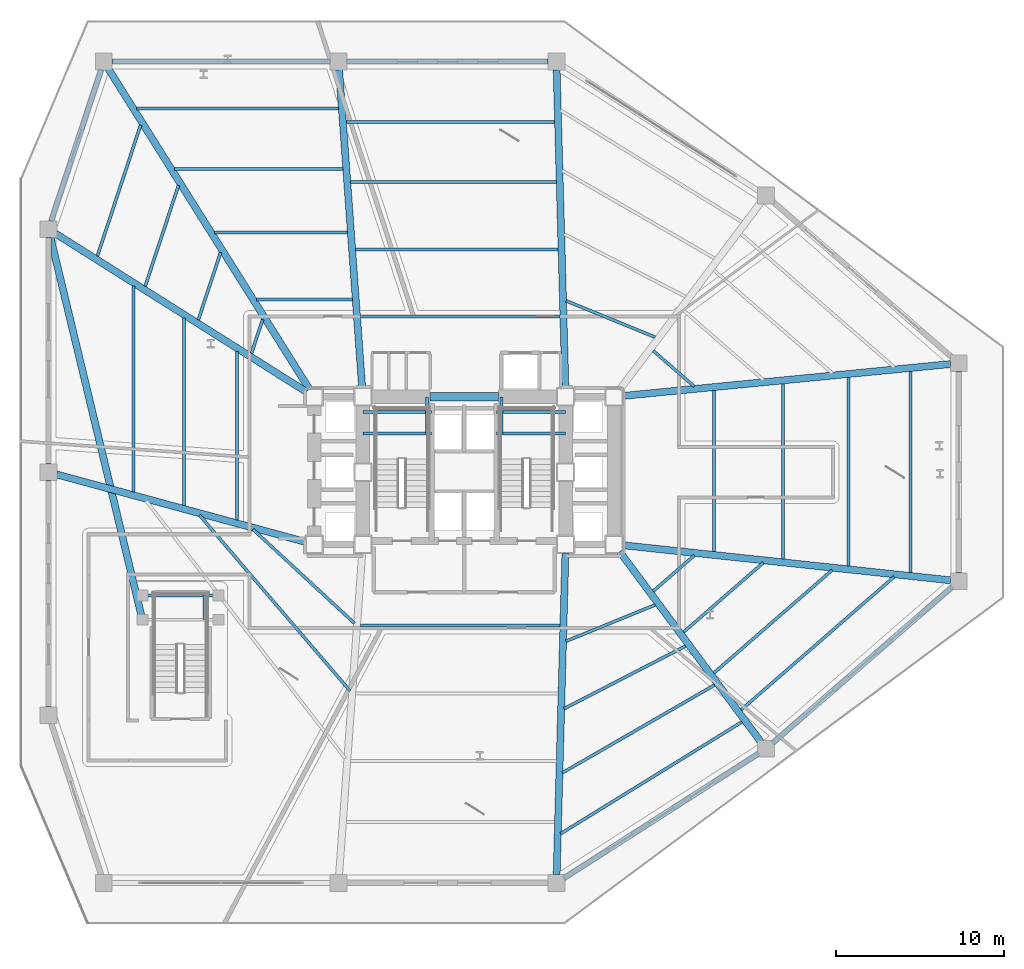
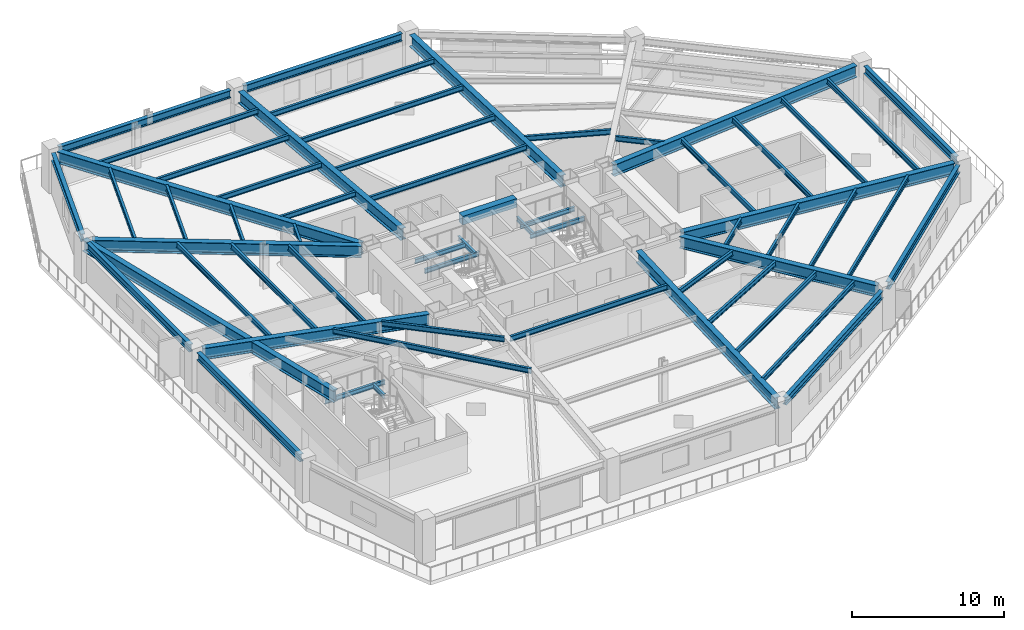
# One storey, part 3 of 12: 59 beams.
"""IFC4 building model written with IfcOpenShell, lengths in metres."""

from ifc_helpers import new_model, si_unit, direction, frame, origin, origin_2d, place, context, subcontext, project, spatial, rectangle, i_section, extrude, material, material_profile, profile_set, type_object, element, save


model = new_model("IFC4")

# Units and contexts
model_context = context("Model", 3, precision=1e-05, world=origin(), true_north=direction((0.0, 1.0)))
body_context = subcontext(model_context, "Body", "Model", "MODEL_VIEW")
ifc_project = project(units=[si_unit("LENGTHUNIT", "METRE"), si_unit("AREAUNIT", "SQUARE_METRE"), si_unit("VOLUMEUNIT", "CUBIC_METRE"), si_unit("PLANEANGLEUNIT", "RADIAN"), si_unit("MASSUNIT", "GRAM", prefix="KILO")], contexts=[model_context])

# Site, building, storey
site_placement = place(None, origin())
site = spatial("IfcSite", under=ifc_project, at=site_placement, CompositionType="ELEMENT")
building_placement = place(site_placement, origin())
building = spatial("IfcBuilding", under=site, at=building_placement, Name="Rocaltana Carrier Exchange", CompositionType="ELEMENT")
storey_placement = place(building_placement, frame((0.0, 0.0, 11.840087890625)))
storey = spatial("IfcBuildingStorey", under=building, at=storey_placement, Name="L04", CompositionType="ELEMENT", Elevation=11.840087890625)

# Beams
ifc_material_1 = material(Name="Concrete C60/75", Category="concrete")
ifc_material_profile_1 = material_profile(ifc_material_1, rectangle(XDim=0.5, YDim=0.699951171875, at=origin_2d()), Name="RC-BM-500X700")
ifc_profile_set_1 = profile_set([ifc_material_profile_1], Name="Concrete C60/75")
beam_type_1 = type_object("IfcBeamType", Name="Core Coupling Lintel 500x700", PredefinedType="LINTEL", material=ifc_profile_set_1)
beam_1_placement = place(storey_placement, frame((-2.050048828125, 4.5, 2.827880859375), z_axis=(1.0, 0.0, 0.0), x_axis=(0.0, 1.0, 0.0)))
element("IfcBeam", 1, at=beam_1_placement, inside=storey, type_object=beam_type_1, Name="L04 Core Coupling Lintel CL-N", PredefinedType="LINTEL", context=body_context, shape_type="SweptSolid", body=[
    extrude(rectangle(XDim=0.5, YDim=0.699951171875, at=origin_2d()), origin(), (0.0, 0.0, 1.0), 4.10009765625),
])
ifc_material_2 = material(Name="Steel S355", Category="steel")
ifc_material_profile_2 = material_profile(ifc_material_2, i_section(OverallWidth=0.172119140625, OverallDepth=0.35791015625, WebThickness=0.0078125, FlangeThickness=0.01318359375, FilletRadius=0.011962890625, at=origin_2d()), Name="W14X38")
ifc_profile_set_2 = profile_set([ifc_material_profile_2], Name="Steel S355")
beam_type_2 = type_object("IfcBeamType", Name="Floor Joist W14X38", PredefinedType="JOIST", material=ifc_profile_set_2)
for number, where, z_axis, x_axis, name in (
    (2, (-6.050048828125, 2.300048828125, 1.380859375), (1.0, 0.0, 0.0), (0.0, 1.0, 0.0), "L04 ST-1 Landing Carrier 1"),
    (3, (1.93994140625, 2.300048828125, 1.380859375), (1.0, 0.0, 0.0), (0.0, 1.0, 0.0), "L04 ST-2 Landing Carrier 1"),
    (4, (-6.050048828125, 3.60009765625, 1.380859375), (1.0, 0.0, 0.0), (0.0, 1.0, 0.0), "L04 ST-1 Landing Carrier 2"),
    (5, (1.93994140625, 3.60009765625, 1.380859375), (1.0, 0.0, 0.0), (0.0, 1.0, 0.0), "L04 ST-2 Landing Carrier 2"),
):
    element("IfcBeam", number, at=place(storey_placement, frame(where, z_axis=z_axis, x_axis=x_axis)), inside=storey, type_object=beam_type_2, Name=name, PredefinedType="JOIST", context=body_context, shape_type="SweptSolid", body=[
        extrude(i_section(OverallWidth=0.172119140625, OverallDepth=0.35791015625, WebThickness=0.0078125, FlangeThickness=0.01318359375, FilletRadius=0.011962890625, at=origin_2d()), origin(), (0.0, 0.0, 1.0), 4.110107421875),
    ])
for number, where, z_axis, x_axis, name in (
    (6, (-2.219970703125, 2.300048828125, 1.380859375), (0.0, 1.0, 0.0), (-1.0, 0.0, 0.0), "L04 ST-1 Landing Cross Trimmer"),
    (7, (2.219970703125, 2.300048828125, 1.380859375), (0.0, 1.0, 0.0), (-1.0, 0.0, 0.0), "L04 ST-2 Landing Cross Trimmer"),
):
    element("IfcBeam", number, at=place(storey_placement, frame(where, z_axis=z_axis, x_axis=x_axis)), inside=storey, type_object=beam_type_2, Name=name, PredefinedType="JOIST", context=body_context, shape_type="SweptSolid", body=[
        extrude(i_section(OverallWidth=0.172119140625, OverallDepth=0.35791015625, WebThickness=0.0078125, FlangeThickness=0.01318359375, FilletRadius=0.011962890625, at=origin_2d()), origin(), (0.0, 0.0, 1.0), 2.199951171875),
    ])
beam_2_placement = place(storey_placement, frame((-19.199951171875, -7.35009765625, 1.380859375), z_axis=(1.0, 0.0, 0.0), x_axis=(0.0, 1.0, 0.0)))
element("IfcBeam", 8, at=beam_2_placement, inside=storey, type_object=beam_type_2, Name="L04 ST-3 North Landing Carrier", PredefinedType="JOIST", context=body_context, shape_type="SweptSolid", body=[
    extrude(i_section(OverallWidth=0.172119140625, OverallDepth=0.35791015625, WebThickness=0.0078125, FlangeThickness=0.01318359375, FilletRadius=0.011962890625, at=origin_2d()), origin(), (0.0, 0.0, 1.0), 4.550048828125),
])
beam_3_placement = place(storey_placement, frame((-15.5, -8.800048828125, 1.380859375), z_axis=(0.0, 1.0, 0.0), x_axis=(-1.0, 0.0, 0.0)))
element("IfcBeam", 9, at=beam_3_placement, inside=storey, type_object=beam_type_2, Name="L04 ST-3 Landing Cross Trimmer", PredefinedType="JOIST", context=body_context, shape_type="SweptSolid", body=[
    extrude(i_section(OverallWidth=0.172119140625, OverallDepth=0.35791015625, WebThickness=0.0078125, FlangeThickness=0.01318359375, FilletRadius=0.011962890625, at=origin_2d()), origin(), (0.0, 0.0, 1.0), 1.449951171875),
])
ifc_material_3 = material(Name="Steel S355", Category="steel")
ifc_material_profile_3 = material_profile(ifc_material_3, i_section(OverallWidth=0.179931640625, OverallDepth=0.4130859375, WebThickness=0.009765625, FlangeThickness=0.01611328125, FilletRadius=0.012939453125, at=origin_2d()), Name="W16X50")
ifc_profile_set_3 = profile_set([ifc_material_profile_3], Name="Steel S355")
beam_type_3 = type_object("IfcBeamType", Name="Floor Joist W16X50", PredefinedType="JOIST", material=ifc_profile_set_3)
beam_4_placement = place(storey_placement, frame((-6.195068359375, -9.14794921875, 2.971435546875), z_axis=(1.0, 0.0, 0.0), x_axis=(0.0, 1.0, 0.0)))
element("IfcBeam", 10, at=beam_4_placement, inside=storey, type_object=beam_type_3, Name="FJ-POD-01-1-L04", PredefinedType="JOIST", context=body_context, shape_type="SweptSolid", body=[
    extrude(i_section(OverallWidth=0.179931640625, OverallDepth=0.4130859375, WebThickness=0.009765625, FlangeThickness=0.01611328125, FilletRadius=0.012939453125, at=origin_2d()), origin(), (0.0, 0.0, 1.0), 11.91015625),
])
beam_5_placement = place(storey_placement, frame((6.078369140625, -10.081298828125, 2.971435546875), z_axis=(0.925857980972, 0.377871670108, 0.0), x_axis=(-0.377871670108, 0.925857980972, 0.0)))
element("IfcBeam", 11, at=beam_5_placement, inside=storey, type_object=beam_type_3, Name="FJ-POD-02-1-L04", PredefinedType="JOIST", context=body_context, shape_type="SweptSolid", body=[
    extrude(i_section(OverallWidth=0.179931640625, OverallDepth=0.4130859375, WebThickness=0.009765625, FlangeThickness=0.01611328125, FilletRadius=0.012939453125, at=origin_2d()), origin(), (0.0, 0.0, 1.0), 5.7333984375),
])
beam_6_placement = place(storey_placement, frame((5.9609375, -14.10498046875, 2.971435546875), z_axis=(0.888846638309, 0.458204816176, 0.0), x_axis=(-0.458204816176, 0.888846638309, 0.0)))
element("IfcBeam", 12, at=beam_6_placement, inside=storey, type_object=beam_type_3, Name="FJ-POD-02-2-L04", PredefinedType="JOIST", context=body_context, shape_type="SweptSolid", body=[
    extrude(i_section(OverallWidth=0.179931640625, OverallDepth=0.4130859375, WebThickness=0.009765625, FlangeThickness=0.01611328125, FilletRadius=0.012939453125, at=origin_2d()), origin(), (0.0, 0.0, 1.0), 8.14892578125),
])
beam_7_placement = place(storey_placement, frame((5.851806640625, -17.9345703125, 2.971435546875), z_axis=(0.866158045768, 0.499770186937, 0.0), x_axis=(-0.499770186937, 0.866158045768, 0.0)))
element("IfcBeam", 13, at=beam_7_placement, inside=storey, type_object=beam_type_3, Name="FJ-POD-02-3-L04", PredefinedType="JOIST", context=body_context, shape_type="SweptSolid", body=[
    extrude(i_section(OverallWidth=0.179931640625, OverallDepth=0.4130859375, WebThickness=0.009765625, FlangeThickness=0.01611328125, FilletRadius=0.012939453125, at=origin_2d()), origin(), (0.0, 0.0, 1.0), 10.47900390625),
])
beam_8_placement = place(storey_placement, frame((5.749755859375, -21.5654296875, 2.971435546875), z_axis=(0.851162281675, 0.524902629307, 0.0), x_axis=(-0.524902629307, 0.851162281675, 0.0)))
element("IfcBeam", 14, at=beam_8_placement, inside=storey, type_object=beam_type_3, Name="FJ-POD-02-4-L04", PredefinedType="JOIST", context=body_context, shape_type="SweptSolid", body=[
    extrude(i_section(OverallWidth=0.179931640625, OverallDepth=0.4130859375, WebThickness=0.009765625, FlangeThickness=0.01611328125, FilletRadius=0.012939453125, at=origin_2d()), origin(), (0.0, 0.0, 1.0), 12.700927734375),
])
beam_9_placement = place(storey_placement, frame((11.275146484375, -7.0947265625, 2.971435546875), z_axis=(0.75461037159, 0.656173138042, 0.0), x_axis=(-0.656173138042, 0.75461037159, 0.0)))
element("IfcBeam", 15, at=beam_9_placement, inside=storey, type_object=beam_type_3, Name="FJ-POD-03-1-L04", PredefinedType="JOIST", context=body_context, shape_type="SweptSolid", body=[
    extrude(i_section(OverallWidth=0.179931640625, OverallDepth=0.4130859375, WebThickness=0.009765625, FlangeThickness=0.01611328125, FilletRadius=0.012939453125, at=origin_2d()), origin(), (0.0, 0.0, 1.0), 3.25146484375),
])
beam_10_placement = place(storey_placement, frame((13.085205078125, -9.534912109375, 2.971435546875), z_axis=(0.754592172713, 0.656194066477, 0.0), x_axis=(-0.656194066477, 0.754592172713, 0.0)))
element("IfcBeam", 16, at=beam_10_placement, inside=storey, type_object=beam_type_3, Name="FJ-POD-03-2-L04", PredefinedType="JOIST", context=body_context, shape_type="SweptSolid", body=[
    extrude(i_section(OverallWidth=0.179931640625, OverallDepth=0.4130859375, WebThickness=0.009765625, FlangeThickness=0.01611328125, FilletRadius=0.012939453125, at=origin_2d()), origin(), (0.0, 0.0, 1.0), 6.299560546875),
])
beam_11_placement = place(storey_placement, frame((14.895263671875, -11.974853515625, 2.971435546875), z_axis=(0.754600461433, 0.65618453472, 0.0), x_axis=(-0.65618453472, 0.754600461433, 0.0)))
element("IfcBeam", 17, at=beam_11_placement, inside=storey, type_object=beam_type_3, Name="FJ-POD-03-3-L04", PredefinedType="JOIST", context=body_context, shape_type="SweptSolid", body=[
    extrude(i_section(OverallWidth=0.179931640625, OverallDepth=0.4130859375, WebThickness=0.009765625, FlangeThickness=0.01611328125, FilletRadius=0.012939453125, at=origin_2d()), origin(), (0.0, 0.0, 1.0), 9.34716796875),
])
beam_12_placement = place(storey_placement, frame((16.524169921875, -14.1708984375, 2.971435546875), z_axis=(0.754602044397, 0.656182714335, 0.0), x_axis=(-0.656182714335, 0.754602044397, 0.0)))
element("IfcBeam", 18, at=beam_12_placement, inside=storey, type_object=beam_type_3, Name="FJ-POD-03-4-L04", PredefinedType="JOIST", context=body_context, shape_type="SweptSolid", body=[
    extrude(i_section(OverallWidth=0.179931640625, OverallDepth=0.4130859375, WebThickness=0.009765625, FlangeThickness=0.01611328125, FilletRadius=0.012939453125, at=origin_2d()), origin(), (0.0, 0.0, 1.0), 12.090576171875),
])
beam_13_placement = place(storey_placement, frame((14.909423828125, -4.735107421875, 2.971435546875), z_axis=(0.0, 1.0, 0.0), x_axis=(-1.0, 0.0, 0.0)))
element("IfcBeam", 19, at=beam_13_placement, inside=storey, type_object=beam_type_3, Name="FJ-POD-04-1-L04", PredefinedType="JOIST", context=body_context, shape_type="SweptSolid", body=[
    extrude(i_section(OverallWidth=0.179931640625, OverallDepth=0.4130859375, WebThickness=0.009765625, FlangeThickness=0.01611328125, FilletRadius=0.012939453125, at=origin_2d()), origin(), (0.0, 0.0, 1.0), 9.612060546875),
])
beam_14_placement = place(storey_placement, frame((19.01953125, -5.175048828125, 2.971435546875), z_axis=(0.0, 1.0, 0.0), x_axis=(-1.0, 0.0, 0.0)))
element("IfcBeam", 20, at=beam_14_placement, inside=storey, type_object=beam_type_3, Name="FJ-POD-04-2-L04", PredefinedType="JOIST", context=body_context, shape_type="SweptSolid", body=[
    extrude(i_section(OverallWidth=0.179931640625, OverallDepth=0.4130859375, WebThickness=0.009765625, FlangeThickness=0.01611328125, FilletRadius=0.012939453125, at=origin_2d()), origin(), (0.0, 0.0, 1.0), 10.4521484375),
])
beam_15_placement = place(storey_placement, frame((22.924072265625, -5.593017578125, 2.971435546875), z_axis=(0.0, 1.0, 0.0), x_axis=(-1.0, 0.0, 0.0)))
element("IfcBeam", 21, at=beam_15_placement, inside=storey, type_object=beam_type_3, Name="FJ-POD-04-3-L04", PredefinedType="JOIST", context=body_context, shape_type="SweptSolid", body=[
    extrude(i_section(OverallWidth=0.179931640625, OverallDepth=0.4130859375, WebThickness=0.009765625, FlangeThickness=0.01611328125, FilletRadius=0.012939453125, at=origin_2d()), origin(), (0.0, 0.0, 1.0), 11.25),
])
beam_16_placement = place(storey_placement, frame((26.623046875, -5.989013671875, 2.971435546875), z_axis=(0.0, 1.0, 0.0), x_axis=(-1.0, 0.0, 0.0)))
element("IfcBeam", 22, at=beam_16_placement, inside=storey, type_object=beam_type_3, Name="FJ-POD-04-4-L04", PredefinedType="JOIST", context=body_context, shape_type="SweptSolid", body=[
    extrude(i_section(OverallWidth=0.179931640625, OverallDepth=0.4130859375, WebThickness=0.009765625, FlangeThickness=0.01611328125, FilletRadius=0.012939453125, at=origin_2d()), origin(), (0.0, 0.0, 1.0), 12.006103515625),
])
beam_17_placement = place(storey_placement, frame((13.728759765625, 5.11328125, 2.971435546875), z_axis=(-0.75461037159, 0.656173138042, 0.0), x_axis=(-0.656173138042, -0.75461037159, 0.0)))
element("IfcBeam", 23, at=beam_17_placement, inside=storey, type_object=beam_type_3, Name="FJ-POD-05-1-L04", PredefinedType="JOIST", context=body_context, shape_type="SweptSolid", body=[
    extrude(i_section(OverallWidth=0.179931640625, OverallDepth=0.4130859375, WebThickness=0.009765625, FlangeThickness=0.01611328125, FilletRadius=0.012939453125, at=origin_2d()), origin(), (0.0, 0.0, 1.0), 3.25146484375),
])
beam_18_placement = place(storey_placement, frame((11.38671875, 8.056640625, 2.971435546875), z_axis=(-0.925843082985, 0.377908170974, 0.0), x_axis=(-0.377908170974, -0.925843082985, 0.0)))
element("IfcBeam", 24, at=beam_18_placement, inside=storey, type_object=beam_type_3, Name="FJ-POD-06-1-L04", PredefinedType="JOIST", context=body_context, shape_type="SweptSolid", body=[
    extrude(i_section(OverallWidth=0.179931640625, OverallDepth=0.4130859375, WebThickness=0.009765625, FlangeThickness=0.01611328125, FilletRadius=0.012939453125, at=origin_2d()), origin(), (0.0, 0.0, 1.0), 5.733642578125),
])
beam_19_placement = place(storey_placement, frame((5.715087890625, 9.300048828125, 2.971435546875), z_axis=(-1.0, 0.0, 0.0), x_axis=(0.0, -1.0, 0.0)))
element("IfcBeam", 25, at=beam_19_placement, inside=storey, type_object=beam_type_3, Name="FJ-POD-07-1-L04", PredefinedType="JOIST", context=body_context, shape_type="SweptSolid", body=[
    extrude(i_section(OverallWidth=0.179931640625, OverallDepth=0.4130859375, WebThickness=0.009765625, FlangeThickness=0.01611328125, FilletRadius=0.012939453125, at=origin_2d()), origin(), (0.0, 0.0, 1.0), 11.91015625),
])
beam_20_placement = place(storey_placement, frame((5.60498046875, 13.300048828125, 2.971435546875), z_axis=(-1.0, 0.0, 0.0), x_axis=(0.0, -1.0, 0.0)))
element("IfcBeam", 26, at=beam_20_placement, inside=storey, type_object=beam_type_3, Name="FJ-POD-07-2-L04", PredefinedType="JOIST", context=body_context, shape_type="SweptSolid", body=[
    extrude(i_section(OverallWidth=0.179931640625, OverallDepth=0.4130859375, WebThickness=0.009765625, FlangeThickness=0.01611328125, FilletRadius=0.012939453125, at=origin_2d()), origin(), (0.0, 0.0, 1.0), 12.090087890625),
])
beam_21_placement = place(storey_placement, frame((5.4951171875, 17.300048828125, 2.971435546875), z_axis=(-1.0, 0.0, 0.0), x_axis=(0.0, -1.0, 0.0)))
element("IfcBeam", 27, at=beam_21_placement, inside=storey, type_object=beam_type_3, Name="FJ-POD-07-3-L04", PredefinedType="JOIST", context=body_context, shape_type="SweptSolid", body=[
    extrude(i_section(OverallWidth=0.179931640625, OverallDepth=0.4130859375, WebThickness=0.009765625, FlangeThickness=0.01611328125, FilletRadius=0.012939453125, at=origin_2d()), origin(), (0.0, 0.0, 1.0), 12.27001953125),
])
beam_22_placement = place(storey_placement, frame((5.39599609375, 20.89990234375, 2.971435546875), z_axis=(-1.0, 0.0, 0.0), x_axis=(0.0, -1.0, 0.0)))
element("IfcBeam", 28, at=beam_22_placement, inside=storey, type_object=beam_type_3, Name="FJ-POD-07-4-L04", PredefinedType="JOIST", context=body_context, shape_type="SweptSolid", body=[
    extrude(i_section(OverallWidth=0.179931640625, OverallDepth=0.4130859375, WebThickness=0.009765625, FlangeThickness=0.01611328125, FilletRadius=0.012939453125, at=origin_2d()), origin(), (0.0, 0.0, 1.0), 12.431884765625),
])
beam_23_placement = place(storey_placement, frame((-6.673583984375, 10.300048828125, 2.971435546875), z_axis=(-1.0, 0.0, 0.0), x_axis=(0.0, -1.0, 0.0)))
element("IfcBeam", 29, at=beam_23_placement, inside=storey, type_object=beam_type_3, Name="FJ-POD-08-1-L04", PredefinedType="JOIST", context=body_context, shape_type="SweptSolid", body=[
    extrude(i_section(OverallWidth=0.179931640625, OverallDepth=0.4130859375, WebThickness=0.009765625, FlangeThickness=0.01611328125, FilletRadius=0.012939453125, at=origin_2d()), origin(), (0.0, 0.0, 1.0), 5.712890625),
])
beam_24_placement = place(storey_placement, frame((-6.96337890625, 14.300048828125, 2.971435546875), z_axis=(-1.0, 0.0, 0.0), x_axis=(0.0, -1.0, 0.0)))
element("IfcBeam", 30, at=beam_24_placement, inside=storey, type_object=beam_type_3, Name="FJ-POD-08-2-L04", PredefinedType="JOIST", context=body_context, shape_type="SweptSolid", body=[
    extrude(i_section(OverallWidth=0.179931640625, OverallDepth=0.4130859375, WebThickness=0.009765625, FlangeThickness=0.01611328125, FilletRadius=0.012939453125, at=origin_2d()), origin(), (0.0, 0.0, 1.0), 7.93310546875),
])
beam_25_placement = place(storey_placement, frame((-7.239013671875, 18.10009765625, 2.971435546875), z_axis=(-1.0, 0.0, 0.0), x_axis=(0.0, -1.0, 0.0)))
element("IfcBeam", 31, at=beam_25_placement, inside=storey, type_object=beam_type_3, Name="FJ-POD-08-3-L04", PredefinedType="JOIST", context=body_context, shape_type="SweptSolid", body=[
    extrude(i_section(OverallWidth=0.179931640625, OverallDepth=0.4130859375, WebThickness=0.009765625, FlangeThickness=0.01611328125, FilletRadius=0.012939453125, at=origin_2d()), origin(), (0.0, 0.0, 1.0), 10.0419921875),
])
beam_26_placement = place(storey_placement, frame((-7.5, 21.699951171875, 2.971435546875), z_axis=(-1.0, 0.0, 0.0), x_axis=(0.0, -1.0, 0.0)))
element("IfcBeam", 32, at=beam_26_placement, inside=storey, type_object=beam_type_3, Name="FJ-POD-08-4-L04", PredefinedType="JOIST", context=body_context, shape_type="SweptSolid", body=[
    extrude(i_section(OverallWidth=0.179931640625, OverallDepth=0.4130859375, WebThickness=0.009765625, FlangeThickness=0.01611328125, FilletRadius=0.012939453125, at=origin_2d()), origin(), (0.0, 0.0, 1.0), 12.0400390625),
])
beam_27_placement = place(storey_placement, frame((-12.025634765625, 9.107177734375, 2.971435546875), z_axis=(-0.313395098314, -0.949622826365, 0.0), x_axis=(0.949622826365, -0.313395098314, 0.0)))
element("IfcBeam", 33, at=beam_27_placement, inside=storey, type_object=beam_type_3, Name="FJ-POD-09-1-L04", PredefinedType="JOIST", context=body_context, shape_type="SweptSolid", body=[
    extrude(i_section(OverallWidth=0.179931640625, OverallDepth=0.4130859375, WebThickness=0.009765625, FlangeThickness=0.01611328125, FilletRadius=0.012939453125, at=origin_2d()), origin(), (0.0, 0.0, 1.0), 2.121337890625),
])
beam_28_placement = place(storey_placement, frame((-14.53564453125, 13.107177734375, 2.971435546875), z_axis=(-0.313367558739, -0.949631914549, 0.0), x_axis=(0.949631914549, -0.313367558739, 0.0)))
element("IfcBeam", 34, at=beam_28_placement, inside=storey, type_object=beam_type_3, Name="FJ-POD-09-2-L04", PredefinedType="JOIST", context=body_context, shape_type="SweptSolid", body=[
    extrude(i_section(OverallWidth=0.179931640625, OverallDepth=0.4130859375, WebThickness=0.009765625, FlangeThickness=0.01611328125, FilletRadius=0.012939453125, at=origin_2d()), origin(), (0.0, 0.0, 1.0), 4.227294921875),
])
beam_29_placement = place(storey_placement, frame((-17.045654296875, 17.107177734375, 2.971435546875), z_axis=(-0.313393097124, -0.949623486796, 0.0), x_axis=(0.949623486796, -0.313393097124, 0.0)))
element("IfcBeam", 35, at=beam_29_placement, inside=storey, type_object=beam_type_3, Name="FJ-POD-09-3-L04", PredefinedType="JOIST", context=body_context, shape_type="SweptSolid", body=[
    extrude(i_section(OverallWidth=0.179931640625, OverallDepth=0.4130859375, WebThickness=0.009765625, FlangeThickness=0.01611328125, FilletRadius=0.012939453125, at=origin_2d()), origin(), (0.0, 0.0, 1.0), 6.33349609375),
])
beam_30_placement = place(storey_placement, frame((-19.3046875, 20.707275390625, 2.971435546875), z_axis=(-0.313360330933, -0.949634299611, 0.0), x_axis=(0.949634299611, -0.313360330933, 0.0)))
element("IfcBeam", 36, at=beam_30_placement, inside=storey, type_object=beam_type_3, Name="FJ-POD-09-4-L04", PredefinedType="JOIST", context=body_context, shape_type="SweptSolid", body=[
    extrude(i_section(OverallWidth=0.179931640625, OverallDepth=0.4130859375, WebThickness=0.009765625, FlangeThickness=0.01611328125, FilletRadius=0.012939453125, at=origin_2d()), origin(), (0.0, 0.0, 1.0), 8.22900390625),
])
beam_31_placement = place(storey_placement, frame((-13.54638671875, 7.197021484375, 2.971435546875), z_axis=(0.0, -1.0, 0.0), x_axis=(1.0, 0.0, 0.0)))
element("IfcBeam", 37, at=beam_31_placement, inside=storey, type_object=beam_type_3, Name="FJ-POD-10-1-L04", PredefinedType="JOIST", context=body_context, shape_type="SweptSolid", body=[
    extrude(i_section(OverallWidth=0.179931640625, OverallDepth=0.4130859375, WebThickness=0.009765625, FlangeThickness=0.01611328125, FilletRadius=0.012939453125, at=origin_2d()), origin(), (0.0, 0.0, 1.0), 10.047119140625),
])
beam_32_placement = place(storey_placement, frame((-16.716552734375, 9.197021484375, 2.971435546875), z_axis=(0.0, -1.0, 0.0), x_axis=(1.0, 0.0, 0.0)))
element("IfcBeam", 38, at=beam_32_placement, inside=storey, type_object=beam_type_3, Name="FJ-POD-10-2-L04", PredefinedType="JOIST", context=body_context, shape_type="SweptSolid", body=[
    extrude(i_section(OverallWidth=0.179931640625, OverallDepth=0.4130859375, WebThickness=0.009765625, FlangeThickness=0.01611328125, FilletRadius=0.012939453125, at=origin_2d()), origin(), (0.0, 0.0, 1.0), 11.18701171875),
])
beam_33_placement = place(storey_placement, frame((-19.72802734375, 11.096923828125, 2.971435546875), z_axis=(0.0, -1.0, 0.0), x_axis=(1.0, 0.0, 0.0)))
element("IfcBeam", 39, at=beam_33_placement, inside=storey, type_object=beam_type_3, Name="FJ-POD-10-3-L04", PredefinedType="JOIST", context=body_context, shape_type="SweptSolid", body=[
    extrude(i_section(OverallWidth=0.179931640625, OverallDepth=0.4130859375, WebThickness=0.009765625, FlangeThickness=0.01611328125, FilletRadius=0.012939453125, at=origin_2d()), origin(), (0.0, 0.0, 1.0), 12.27001953125),
])
beam_34_placement = place(storey_placement, frame((-12.60498046875, -3.406005859375, 2.971435546875), z_axis=(0.734070313169, -0.679073468282, 0.0), x_axis=(0.679073468282, 0.734070313169, 0.0)))
element("IfcBeam", 40, at=beam_34_placement, inside=storey, type_object=beam_type_3, Name="FJ-POD-11-1-L04", PredefinedType="JOIST", context=body_context, shape_type="SweptSolid", body=[
    extrude(i_section(OverallWidth=0.179931640625, OverallDepth=0.4130859375, WebThickness=0.009765625, FlangeThickness=0.01611328125, FilletRadius=0.012939453125, at=origin_2d()), origin(), (0.0, 0.0, 1.0), 8.25244140625),
])
beam_35_placement = place(storey_placement, frame((-15.7919921875, -2.562255859375, 2.971435546875), z_axis=(0.650641180635, -0.759385313304, 0.0), x_axis=(0.759385313304, 0.650641180635, 0.0)))
element("IfcBeam", 41, at=beam_35_placement, inside=storey, type_object=beam_type_3, Name="FJ-POD-11-2-L04", PredefinedType="JOIST", context=body_context, shape_type="SweptSolid", body=[
    extrude(i_section(OverallWidth=0.179931640625, OverallDepth=0.4130859375, WebThickness=0.009765625, FlangeThickness=0.01611328125, FilletRadius=0.012939453125, at=origin_2d()), origin(), (0.0, 0.0, 1.0), 13.789306640625),
])
ifc_material_4 = material(Name="Steel S355", Category="steel")
ifc_material_profile_4 = material_profile(ifc_material_4, i_section(OverallWidth=0.41796875, OverallDepth=0.927001953125, WebThickness=0.019287109375, FlangeThickness=0.031982421875, FilletRadius=0.02197265625, at=origin_2d()), Name="W36X231")
ifc_profile_set_4 = profile_set([ifc_material_profile_4], Name="Steel S355")
beam_type_4 = type_object("IfcBeamType", Name="Heavy Floor Girder W36X231", PredefinedType="BEAM", material=ifc_profile_set_4)
beam_36_placement = place(storey_placement, frame((-24.800048828125, 14.5, 2.71435546875), z_axis=(0.233691988748, -0.972310677919, 0.0), x_axis=(0.972310677919, 0.233691988748, 0.0)))
element("IfcBeam", 42, at=beam_36_placement, inside=storey, type_object=beam_type_4, Name="BM-PODG-ST3TRIM-L04", PredefinedType="BEAM", context=body_context, shape_type="SweptSolid", body=[
    extrude(i_section(OverallWidth=0.41796875, OverallDepth=0.927001953125, WebThickness=0.019287109375, FlangeThickness=0.031982421875, FilletRadius=0.02197265625, at=origin_2d()), origin(), (0.0, 0.0, 1.0), 23.963623046875),
])
beam_37_placement = place(storey_placement, frame((6.03515625, -4.841796875, 2.71435546875), z_axis=(-0.027210769983, -0.999629718444, 0.0), x_axis=(0.999629718444, -0.027210769983, 0.0)))
element("IfcBeam", 43, at=beam_37_placement, inside=storey, type_object=beam_type_4, Name="BM-PODG-03-L04", PredefinedType="BEAM", context=body_context, shape_type="SweptSolid", body=[
    extrude(i_section(OverallWidth=0.41796875, OverallDepth=0.927001953125, WebThickness=0.019287109375, FlangeThickness=0.031982421875, FilletRadius=0.02197265625, at=origin_2d()), origin(), (0.0, 0.0, 1.0), 19.173583984375),
])
beam_38_placement = place(storey_placement, frame((9.27294921875, -4.7353515625, 2.71435546875), z_axis=(0.595769776536, -0.803155261059, 0.0), x_axis=(0.803155261059, 0.595769776536, 0.0)))
element("IfcBeam", 44, at=beam_38_placement, inside=storey, type_object=beam_type_4, Name="BM-PODG-04-L04", PredefinedType="BEAM", context=body_context, shape_type="SweptSolid", body=[
    extrude(i_section(OverallWidth=0.41796875, OverallDepth=0.927001953125, WebThickness=0.019287109375, FlangeThickness=0.031982421875, FilletRadius=0.02197265625, at=origin_2d()), origin(), (0.0, 0.0, 1.0), 14.15625),
])
beam_39_placement = place(storey_placement, frame((9.489013671875, -4.357666015625, 2.71435546875), z_axis=(0.994318699664, -0.10644399231, 0.0), x_axis=(0.10644399231, 0.994318699664, 0.0)))
element("IfcBeam", 45, at=beam_39_placement, inside=storey, type_object=beam_type_4, Name="BM-PODG-05-L04", PredefinedType="BEAM", context=body_context, shape_type="SweptSolid", body=[
    extrude(i_section(OverallWidth=0.41796875, OverallDepth=0.927001953125, WebThickness=0.019287109375, FlangeThickness=0.031982421875, FilletRadius=0.02197265625, at=origin_2d()), origin(), (0.0, 0.0, 1.0), 19.63330078125),
])
beam_40_placement = place(storey_placement, frame((9.489501953125, 4.552490234375, 2.71435546875), z_axis=(0.995297082443, 0.0968695911, 0.0), x_axis=(-0.0968695911, 0.995297082443, 0.0)))
element("IfcBeam", 46, at=beam_40_placement, inside=storey, type_object=beam_type_4, Name="BM-PODG-06-L04", PredefinedType="BEAM", context=body_context, shape_type="SweptSolid", body=[
    extrude(i_section(OverallWidth=0.41796875, OverallDepth=0.927001953125, WebThickness=0.019287109375, FlangeThickness=0.031982421875, FilletRadius=0.02197265625, at=origin_2d()), origin(), (0.0, 0.0, 1.0), 19.613037109375),
])
beam_41_placement = place(storey_placement, frame((6.03515625, 5.041748046875, 2.71435546875), z_axis=(-0.027497418433, 0.9996218745, 0.0), x_axis=(-0.9996218745, -0.027497418433, 0.0)))
element("IfcBeam", 47, at=beam_41_placement, inside=storey, type_object=beam_type_4, Name="BM-PODG-08-L04", PredefinedType="BEAM", context=body_context, shape_type="SweptSolid", body=[
    extrude(i_section(OverallWidth=0.41796875, OverallDepth=0.927001953125, WebThickness=0.019287109375, FlangeThickness=0.031982421875, FilletRadius=0.02197265625, at=origin_2d()), origin(), (0.0, 0.0, 1.0), 18.9736328125),
])
beam_42_placement = place(storey_placement, frame((-6.089111328125, 5.04052734375, 2.71435546875), z_axis=(-0.072310719598, 0.997382153355, 0.0), x_axis=(-0.997382153355, -0.072310719598, 0.0)))
element("IfcBeam", 48, at=beam_42_placement, inside=storey, type_object=beam_type_4, Name="BM-PODG-09-L04", PredefinedType="BEAM", context=body_context, shape_type="SweptSolid", body=[
    extrude(i_section(OverallWidth=0.41796875, OverallDepth=0.927001953125, WebThickness=0.019287109375, FlangeThickness=0.031982421875, FilletRadius=0.02197265625, at=origin_2d()), origin(), (0.0, 0.0, 1.0), 19.0185546875),
])
beam_43_placement = place(storey_placement, frame((-9.238037109375, 4.958984375, 2.71435546875), z_axis=(-0.531521193094, 0.847044993665, 0.0), x_axis=(-0.847044993665, -0.531521193094, 0.0)))
element("IfcBeam", 49, at=beam_43_placement, inside=storey, type_object=beam_type_4, Name="BM-PODG-10-L04", PredefinedType="BEAM", context=body_context, shape_type="SweptSolid", body=[
    extrude(i_section(OverallWidth=0.41796875, OverallDepth=0.927001953125, WebThickness=0.019287109375, FlangeThickness=0.031982421875, FilletRadius=0.02197265625, at=origin_2d()), origin(), (0.0, 0.0, 1.0), 22.57763671875),
])
beam_44_placement = place(storey_placement, frame((-9.408447265625, 4.789306640625, 2.71435546875), z_axis=(-0.845740432833, 0.533594527962, 0.0), x_axis=(-0.533594527962, -0.845740432833, 0.0)))
element("IfcBeam", 50, at=beam_44_placement, inside=storey, type_object=beam_type_4, Name="BM-PODG-11-L04", PredefinedType="BEAM", context=body_context, shape_type="SweptSolid", body=[
    extrude(i_section(OverallWidth=0.41796875, OverallDepth=0.927001953125, WebThickness=0.019287109375, FlangeThickness=0.031982421875, FilletRadius=0.02197265625, at=origin_2d()), origin(), (0.0, 0.0, 1.0), 17.706787109375),
])
beam_45_placement = place(storey_placement, frame((-9.47314453125, -4.158203125, 2.71435546875), z_axis=(-0.965113696216, 0.261831154327, 0.0), x_axis=(-0.261831154327, -0.965113696216, 0.0)))
element("IfcBeam", 51, at=beam_45_placement, inside=storey, type_object=beam_type_4, Name="BM-PODG-12-L04", PredefinedType="BEAM", context=body_context, shape_type="SweptSolid", body=[
    extrude(i_section(OverallWidth=0.41796875, OverallDepth=0.927001953125, WebThickness=0.019287109375, FlangeThickness=0.031982421875, FilletRadius=0.02197265625, at=origin_2d()), origin(), (0.0, 0.0, 1.0), 15.388916015625),
])
ifc_material_5 = material(Name="Steel S355", Category="steel")
ifc_material_profile_5 = material_profile(ifc_material_5, i_section(OverallWidth=0.300048828125, OverallDepth=0.60009765625, WebThickness=0.015380859375, FlangeThickness=0.030029296875, FilletRadius=0.027099609375, at=origin_2d()), Name="HEB600")
ifc_profile_set_5 = profile_set([ifc_material_profile_5], Name="Steel S355")
beam_type_5 = type_object("IfcBeamType", Name="Spandrel Edge Beam HEB600", PredefinedType="SPANDREL", material=ifc_profile_set_5)
beam_46_placement = place(storey_placement, frame((5.914306640625, -24.23486328125, 2.8779296875), z_axis=(0.842270120768, 0.539055696252, 0.0), x_axis=(-0.539055696252, 0.842270120768, 0.0)))
element("IfcBeam", 52, at=beam_46_placement, inside=storey, type_object=beam_type_5, Name="BM-PODR-03-L04", PredefinedType="SPANDREL", context=body_context, shape_type="SweptSolid", body=[
    extrude(i_section(OverallWidth=0.300048828125, OverallDepth=0.60009765625, WebThickness=0.015380859375, FlangeThickness=0.030029296875, FilletRadius=0.027099609375, at=origin_2d()), origin(), (0.0, 0.0, 1.0), 13.857177734375),
])
beam_47_placement = place(storey_placement, frame((18.371337890625, -16.17724609375, 2.8779296875), z_axis=(0.754595198685, 0.656190586737, 0.0), x_axis=(-0.656190586737, 0.754595198685, 0.0)))
element("IfcBeam", 53, at=beam_47_placement, inside=storey, type_object=beam_type_5, Name="BM-PODR-04-L04", PredefinedType="SPANDREL", context=body_context, shape_type="SweptSolid", body=[
    extrude(i_section(OverallWidth=0.300048828125, OverallDepth=0.60009765625, WebThickness=0.015380859375, FlangeThickness=0.030029296875, FilletRadius=0.027099609375, at=origin_2d()), origin(), (0.0, 0.0, 1.0), 14.255859375),
])
for number, where, z_axis, x_axis, name in (
    (54, (29.5, -6.008056640625, 2.8779296875), (0.0, 1.0, 0.0), (-1.0, 0.0, 0.0), "BM-PODR-05-L04"),
    (55, (5.008056640625, 24.5, 2.8779296875), (-1.0, 0.0, 0.0), (0.0, -1.0, 0.0), "BM-PODR-08-L04"),
):
    element("IfcBeam", number, at=place(storey_placement, frame(where, z_axis=z_axis, x_axis=x_axis)), inside=storey, type_object=beam_type_5, Name=name, PredefinedType="SPANDREL", context=body_context, shape_type="SweptSolid", body=[
        extrude(i_section(OverallWidth=0.300048828125, OverallDepth=0.60009765625, WebThickness=0.015380859375, FlangeThickness=0.030029296875, FilletRadius=0.027099609375, at=origin_2d()), origin(), (0.0, 0.0, 1.0), 12.01611328125),
    ])
beam_48_placement = place(storey_placement, frame((-7.991943359375, 24.5, 2.8779296875), z_axis=(-1.0, 0.0, 0.0), x_axis=(0.0, -1.0, 0.0)))
element("IfcBeam", 56, at=beam_48_placement, inside=storey, type_object=beam_type_5, Name="BM-PODR-09-L04", PredefinedType="SPANDREL", context=body_context, shape_type="SweptSolid", body=[
    extrude(i_section(OverallWidth=0.300048828125, OverallDepth=0.60009765625, WebThickness=0.015380859375, FlangeThickness=0.030029296875, FilletRadius=0.027099609375, at=origin_2d()), origin(), (0.0, 0.0, 1.0), 13.01611328125),
])
beam_49_placement = place(storey_placement, frame((-21.654296875, 24.03271484375, 2.8779296875), z_axis=(-0.313364538918, -0.94963291105, 0.0), x_axis=(0.94963291105, -0.313364538918, 0.0)))
element("IfcBeam", 57, at=beam_49_placement, inside=storey, type_object=beam_type_5, Name="BM-PODR-10-L04", PredefinedType="SPANDREL", context=body_context, shape_type="SweptSolid", body=[
    extrude(i_section(OverallWidth=0.300048828125, OverallDepth=0.60009765625, WebThickness=0.015380859375, FlangeThickness=0.030029296875, FilletRadius=0.027099609375, at=origin_2d()), origin(), (0.0, 0.0, 1.0), 9.546142578125),
])
for number, where, z_axis, x_axis, name in (
    (58, (-24.800048828125, 14.008056640625, 2.8779296875), (0.0, -1.0, 0.0), (1.0, 0.0, 0.0), "BM-PODR-11-L04"),
    (59, (-24.800048828125, -0.491943359375, 2.8779296875), (0.0, -1.0, 0.0), (1.0, 0.0, 0.0), "BM-PODR-12-L04"),
):
    element("IfcBeam", number, at=place(storey_placement, frame(where, z_axis=z_axis, x_axis=x_axis)), inside=storey, type_object=beam_type_5, Name=name, PredefinedType="SPANDREL", context=body_context, shape_type="SweptSolid", body=[
        extrude(i_section(OverallWidth=0.300048828125, OverallDepth=0.60009765625, WebThickness=0.015380859375, FlangeThickness=0.030029296875, FilletRadius=0.027099609375, at=origin_2d()), origin(), (0.0, 0.0, 1.0), 13.51611328125),
    ])

save(model, "model.ifc")
